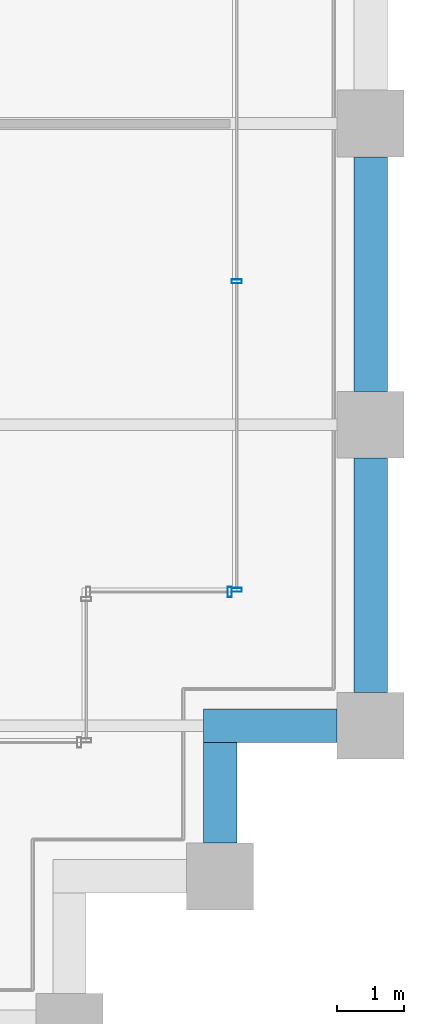
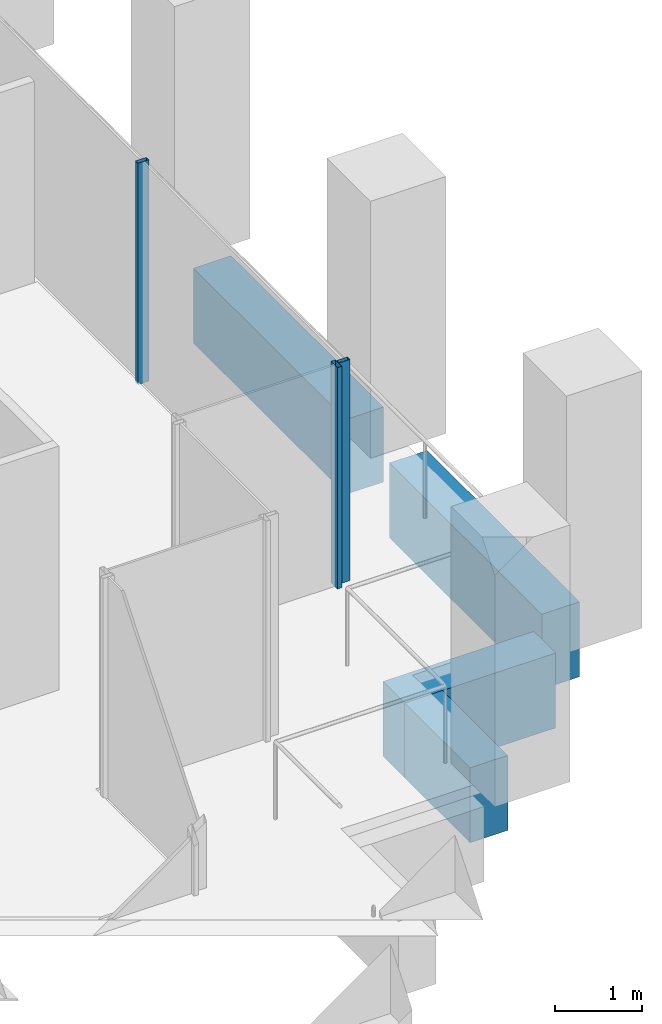
# One storey, part 37 of 46: 4 beams, 3 members, 2 elements without a shape of their own.
"""IFC4 building model written with IfcOpenShell, lengths in metres."""

import ifcopenshell
import ifcopenshell.guid

model = None  # the IFC model being written
_history = None  # IfcOwnerHistory: only IFC2X3 demands one
_inside = {}  # id of a spatial element -> (the spatial element, [elements in it])
_under = {}  # id of a project, library or spatial element -> (it, [spatial elements below it])
_declared = {}  # id of a project -> (the project, [libraries it declares])
_typed = {}  # id of a type object -> (the type object, [elements of that type])
_made_of = {}  # id of a material, layer set ... -> (it, [elements and type objects made of it])


def new_model(schema):
    """Start an empty IFC model of exactly this schema.

    Asked for "IFC4X3", IfcOpenShell would pick the latest addendum, in which some entities
    have other attributes; the version numbers below select the first issue.
    IFC2X3 requires an IfcOwnerHistory on every rooted entity: one is made here for all.
    """
    global model, _history
    if schema == "IFC4X3":
        model = ifcopenshell.file(schema_version=(4, 3, 0, 0))
    else:
        model = ifcopenshell.file(schema=schema)
    _inside.clear()
    _under.clear()
    _declared.clear()
    _typed.clear()
    _made_of.clear()
    _history = None
    if model.schema == "IFC2X3":
        org = make("IfcOrganization", Name="unknown")
        user = make(
            "IfcPersonAndOrganization",
            ThePerson=make("IfcPerson", FamilyName="unknown"),
            TheOrganization=org,
        )
        app = make(
            "IfcApplication",
            ApplicationDeveloper=org,
            Version="unknown",
            ApplicationFullName="unknown",
            ApplicationIdentifier="unknown",
        )
        _history = make(
            "IfcOwnerHistory",
            OwningUser=user,
            OwningApplication=app,
            ChangeAction="ADDED",
            CreationDate=0,
        )
    return model


def make(cls, **values):
    """One entity of the class cls with the attributes given. An attribute that is None is left unset."""
    return model.create_entity(
        cls, **{name: value for name, value in values.items() if value is not None}
    )


def rooted(cls, **values):
    """An entity with a GlobalId (a new one), such as an element, a storey or a relation."""
    return make(cls, GlobalId=ifcopenshell.guid.new(), OwnerHistory=_history, **values)


def si_unit(unit_type, name, prefix=None):
    """IfcSIUnit, for example si_unit("LENGTHUNIT", "METRE", prefix="MILLI")."""
    return make("IfcSIUnit", UnitType=unit_type, Prefix=prefix, Name=name)


def assignment(units):
    """IfcUnitAssignment: the units of a project."""
    return None if units is None else make("IfcUnitAssignment", Units=units)


def point(xyz):
    """IfcCartesianPoint."""
    return None if xyz is None else make("IfcCartesianPoint", Coordinates=xyz)


def direction(xyz):
    """IfcDirection."""
    return None if xyz is None else make("IfcDirection", DirectionRatios=xyz)


def frame(location, z_axis=None, x_axis=None):
    """IfcAxis2Placement3D, a coordinate frame: its origin and axes. An axis left out is left unset."""
    return make(
        "IfcAxis2Placement3D",
        Location=point(location),
        Axis=direction(z_axis),
        RefDirection=direction(x_axis),
    )


def frame_2d(location, x_axis=None):
    """IfcAxis2Placement2D, a coordinate frame in the plane: its origin and x axis."""
    return make(
        "IfcAxis2Placement2D", Location=point(location), RefDirection=direction(x_axis)
    )


def origin():
    """The frame at (0, 0, 0) with its axes left unset."""
    return frame((0.0, 0.0, 0.0))


def origin_2d():
    """The frame at (0, 0) in the plane with its x axis left unset."""
    return frame_2d((0.0, 0.0))


def place(relative_to, where):
    """IfcLocalPlacement: puts the frame where relative to a parent placement (None: the world)."""
    return make(
        "IfcLocalPlacement", PlacementRelTo=relative_to, RelativePlacement=where
    )


def context(
    kind, dimensions, precision=None, world=None, true_north=None, identifier=None
):
    """IfcGeometricRepresentationContext, for example the 3D "Model" context."""
    return make(
        "IfcGeometricRepresentationContext",
        ContextIdentifier=identifier,
        ContextType=kind,
        CoordinateSpaceDimension=dimensions,
        Precision=precision,
        WorldCoordinateSystem=world,
        TrueNorth=true_north,
    )


def subcontext(parent, identifier, kind, view, scale=None):
    """IfcGeometricRepresentationSubContext, for example "Body" below "Model"."""
    return make(
        "IfcGeometricRepresentationSubContext",
        ContextIdentifier=identifier,
        ContextType=kind,
        ParentContext=parent,
        TargetScale=scale,
        TargetView=view,
    )


def project(units=None, contexts=None):
    """IfcProject with its units and contexts."""
    return rooted(
        "IfcProject",
        Name="project",
        RepresentationContexts=contexts,
        UnitsInContext=assignment(units),
    )


def spatial(cls, under=None, at=None, **own):
    """A site, building, storey or space (cls), placed at a placement, below another one or the project."""
    s = rooted(cls, ObjectPlacement=at, **own)
    if under is not None:
        _under.setdefault(under.id(), (under, []))[1].append(s)
    return s


def profile(cls, at=None, kind="AREA", **sizes):
    """A parametric profile (cls). Its sizes go by their IFC names, for example OverallWidth=200.0."""
    return make(cls, ProfileType=kind, Position=at, **sizes)


def rectangle(**sizes):
    """IfcRectangleProfileDef."""
    return profile("IfcRectangleProfileDef", **sizes)


def hollow_rectangle(**sizes):
    """IfcRectangleHollowProfileDef."""
    return profile("IfcRectangleHollowProfileDef", **sizes)


def extrude(swept, where, along, depth):
    """IfcExtrudedAreaSolid: the profile swept, set in the frame where, extruded along a direction by depth."""
    return make(
        "IfcExtrudedAreaSolid",
        SweptArea=swept,
        Position=where,
        ExtrudedDirection=direction(along),
        Depth=depth,
    )


def shape(context_of_items, identifier, shape_type, items):
    """IfcShapeRepresentation: the items that make up one representation, for example the "Body"."""
    return make(
        "IfcShapeRepresentation",
        ContextOfItems=context_of_items,
        RepresentationIdentifier=identifier,
        RepresentationType=shape_type,
        Items=items,
    )


def material(Name=None, Category=None):
    """IfcMaterial."""
    return make("IfcMaterial", Name=Name, Category=Category)


def material_profile(
    of_material, cross_section, Name=None, Category=None, Priority=None
):
    """IfcMaterialProfile: a cross section and its material."""
    return make(
        "IfcMaterialProfile",
        Name=Name,
        Material=of_material,
        Profile=cross_section,
        Priority=Priority,
        Category=Category,
    )


def profile_set(profiles, Name=None, composite=None):
    """IfcMaterialProfileSet."""
    return make(
        "IfcMaterialProfileSet",
        Name=Name,
        MaterialProfiles=profiles,
        CompositeProfile=composite,
    )


def made_of(thing, what):
    """Note that an element or type object is made of a material, layer set ...; save() writes the relation."""
    if what is not None:
        _made_of.setdefault(what.id(), (what, []))[1].append(thing)
    return thing


def type_object(cls, material=None, **own):
    """A type object (cls), such as IfcWallType, which elements share."""
    return made_of(rooted(cls, **own), material)


def element(
    cls,
    number,
    at=None,
    inside=None,
    cuts=None,
    type_object=None,
    material=None,
    context=None,
    identifier="Body",
    shape_type=None,
    held_by="IfcProductDefinitionShape",
    body=None,
    shapes=None,
    **own,
):
    """One element of the class cls, such as IfcWall. Its Tag is "e" and its number.

    at: its placement. inside: the storey or other place that contains it. cuts: it is an
    opening in that element (IfcRelVoidsElement). A single representation is given by context,
    identifier, shape_type and body (its items); several are given by shapes. held_by: the class
    of the entity that holds the representations. save() writes the other relations.
    """
    e = rooted(cls, Tag="e%d" % number, ObjectPlacement=at, **own)
    if body is not None:
        shapes = [shape(context, identifier, shape_type, body)]
    if shapes is not None:
        e.Representation = make(held_by, Representations=shapes)
    if inside is not None:
        _inside.setdefault(inside.id(), (inside, []))[1].append(e)
    if cuts is not None:
        rooted(
            "IfcRelVoidsElement", RelatingBuildingElement=cuts, RelatedOpeningElement=e
        )
    if type_object is not None:
        _typed.setdefault(type_object.id(), (type_object, []))[1].append(e)
    return made_of(e, material)


def aggregate(whole, parts):
    """IfcRelAggregates: a whole, such as a stair, and the parts it consists of."""
    return rooted("IfcRelAggregates", RelatingObject=whole, RelatedObjects=parts)


def save(model, path):
    """Write the relations noted so far, then the file.

    IfcRelAggregates (storeys below a building ...), IfcRelContainedInSpatialStructure (elements
    in a storey), IfcRelDefinesByType, IfcRelAssociatesMaterial and IfcRelDeclares: one each for
    every whole, place, type object, material and project.
    """
    for whole, parts in _under.values():
        aggregate(whole, parts)
    for where, things in _inside.values():
        rooted(
            "IfcRelContainedInSpatialStructure",
            RelatedElements=things,
            RelatingStructure=where,
        )
    for kind, things in _typed.values():
        rooted("IfcRelDefinesByType", RelatedObjects=things, RelatingType=kind)
    for what, things in _made_of.values():
        rooted("IfcRelAssociatesMaterial", RelatedObjects=things, RelatingMaterial=what)
    for by, libraries in _declared.values():
        rooted("IfcRelDeclares", RelatingContext=by, RelatedDefinitions=libraries)
    model.write(path)


model = new_model("IFC4")

# Units and contexts
model_context = context("Model", 3, precision=1e-05, world=origin(), true_north=direction((0.0, 1.0)))
body_context = subcontext(model_context, "Body", "Model", "MODEL_VIEW")
ifc_project = project(units=[si_unit("LENGTHUNIT", "METRE"), si_unit("AREAUNIT", "SQUARE_METRE"), si_unit("VOLUMEUNIT", "CUBIC_METRE"), si_unit("PLANEANGLEUNIT", "RADIAN"), si_unit("MASSUNIT", "GRAM", prefix="KILO")], contexts=[model_context])

# Site, building, storey
site_placement = place(None, origin())
site = spatial("IfcSite", under=ifc_project, at=site_placement, CompositionType="ELEMENT")
building_placement = place(site_placement, origin())
building = spatial("IfcBuilding", under=site, at=building_placement, Name="Altepetl Exchange Towers", CompositionType="ELEMENT")
storey_placement = place(building_placement, frame((0.0, 0.0, 131.60009765625)))
storey = spatial("IfcBuildingStorey", under=building, at=storey_placement, Name="L32", CompositionType="ELEMENT", Elevation=131.60009765625)

# Curtain wall, member
ifc_material_1 = material(Name="Aluminium 6063-T6 glazing", Category="aluminium")
curtain_wall_type = type_object("IfcCurtainWallType", Name="Loggia glazing system", PredefinedType="NOTDEFINED", material=ifc_material_1)
curtain_wall_1_placement = place(storey_placement, origin())
curtain_wall_1 = element("IfcCurtainWall", 1, at=curtain_wall_1_placement, inside=storey, type_object=curtain_wall_type, Name="CW1 run", PredefinedType="NOTDEFINED")
ifc_material_2 = material(Name="Aluminium 6063-T6", Category="aluminium")
ifc_material_profile_1 = material_profile(ifc_material_2, hollow_rectangle(XDim=0.06005859375, YDim=0.14990234375, WallThickness=0.0029296875, at=origin_2d()), Name="Mullion 60x150 aluminium")
ifc_profile_set_1 = profile_set([ifc_material_profile_1], Name="Aluminium 6063-T6")
member_type = type_object("IfcMemberType", Name="Mullion 60x150 aluminium", PredefinedType="MULLION", material=ifc_profile_set_1)
member_1_placement = place(storey_placement, frame((123.89501953125, 33.5, 0.0)))
member_1 = element("IfcMember", 2, at=member_1_placement, type_object=member_type, Name="MU1 mullion", PredefinedType="MULLION", context=body_context, shape_type="SweptSolid", body=[
    extrude(hollow_rectangle(XDim=0.06005859375, YDim=0.14990234375, WallThickness=0.0029296875, at=origin_2d()), origin(), (0.0, 0.0, 1.0), 3.099853515625),
])
aggregate(curtain_wall_1, [member_1])

# Curtain wall, members
curtain_wall_2_placement = place(storey_placement, origin())
curtain_wall_2 = element("IfcCurtainWall", 3, at=curtain_wall_2_placement, inside=storey, type_object=curtain_wall_type, Name="CW1 run", PredefinedType="NOTDEFINED")
member_2_placement = place(storey_placement, frame((124.0, 33.530029296875, 0.0), z_axis=(0.0, 0.0, 1.0), x_axis=(0.0, 1.0, 0.0)))
member_2 = element("IfcMember", 4, at=member_2_placement, type_object=member_type, Name="MU1 mullion", PredefinedType="MULLION", context=body_context, shape_type="SweptSolid", body=[
    extrude(hollow_rectangle(XDim=0.06005859375, YDim=0.14990234375, WallThickness=0.0029296875, at=origin_2d()), origin(), (0.0, 0.0, 1.0), 3.099853515625),
])
member_3_placement = place(storey_placement, frame((124.0, 38.1416015625, 0.0), z_axis=(0.0, 0.0, 1.0), x_axis=(0.0, 1.0, 0.0)))
member_3 = element("IfcMember", 5, at=member_3_placement, type_object=member_type, Name="MU1 mullion", PredefinedType="MULLION", context=body_context, shape_type="SweptSolid", body=[
    extrude(hollow_rectangle(XDim=0.06005859375, YDim=0.14990234375, WallThickness=0.0029296875, at=origin_2d()), origin(), (0.0, 0.0, 1.0), 3.099853515625),
])
aggregate(curtain_wall_2, [member_2, member_3])

# Beams
ifc_material_3 = material(Name="Concrete C50/60 precast with cantera blanca facing", Category="concrete")
ifc_material_profile_2 = material_profile(ifc_material_3, rectangle(XDim=0.5, YDim=1.050048828125, at=origin_2d()), Name="500 x 1050")
ifc_profile_set_2 = profile_set([ifc_material_profile_2], Name="Concrete C50/60 precast with cantera blanca facing")
beam_type = type_object("IfcBeamType", Name="Spandrel beam 500x1050 cantera blanca", PredefinedType="SPANDREL", material=ifc_profile_set_2)
beam_1_placement = place(storey_placement, frame((123.75, 29.75, -0.675048828125), z_axis=(0.0, 1.0, 0.0), x_axis=(-1.0, 0.0, 0.0)))
element("IfcBeam", 6, at=beam_1_placement, inside=storey, type_object=beam_type, Name="sp:B:L32:007", PredefinedType="SPANDREL", context=body_context, shape_type="SweptSolid", body=[
    extrude(rectangle(XDim=0.5, YDim=1.050048828125, at=origin_2d()), origin(), (0.0, 0.0, 1.0), 1.5),
])
beam_2_placement = place(storey_placement, frame((123.5, 31.5, -0.675048828125), z_axis=(1.0, 0.0, 0.0), x_axis=(0.0, 1.0, 0.0)))
element("IfcBeam", 7, at=beam_2_placement, inside=storey, type_object=beam_type, Name="sp:B:L32:008", PredefinedType="SPANDREL", context=body_context, shape_type="SweptSolid", body=[
    extrude(rectangle(XDim=0.5, YDim=1.050048828125, at=origin_2d()), origin(), (0.0, 0.0, 1.0), 2.0),
])
for number, where, z_axis, x_axis, name in (
    (8, (126.0, 32.0, -0.675048828125), (0.0, 1.0, 0.0), (-1.0, 0.0, 0.0), "sp:B:L32:009"),
    (9, (126.0, 36.5, -0.675048828125), (0.0, 1.0, 0.0), (-1.0, 0.0, 0.0), "sp:B:L32:010"),
):
    element("IfcBeam", number, at=place(storey_placement, frame(where, z_axis=z_axis, x_axis=x_axis)), inside=storey, type_object=beam_type, Name=name, PredefinedType="SPANDREL", context=body_context, shape_type="SweptSolid", body=[
        extrude(rectangle(XDim=0.5, YDim=1.050048828125, at=origin_2d()), origin(), (0.0, 0.0, 1.0), 3.5),
    ])

save(model, "model.ifc")
